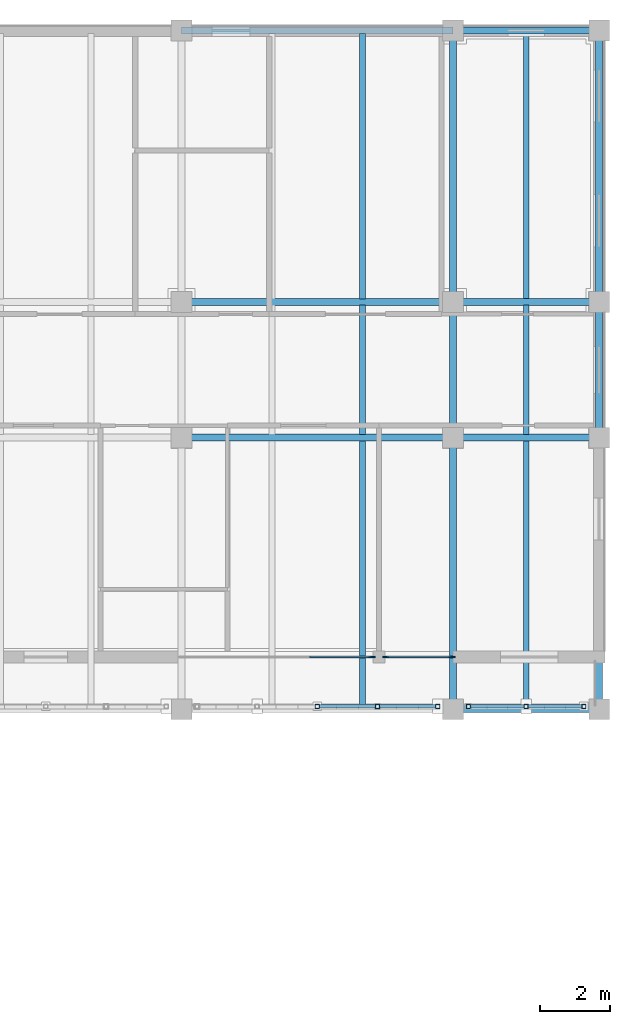
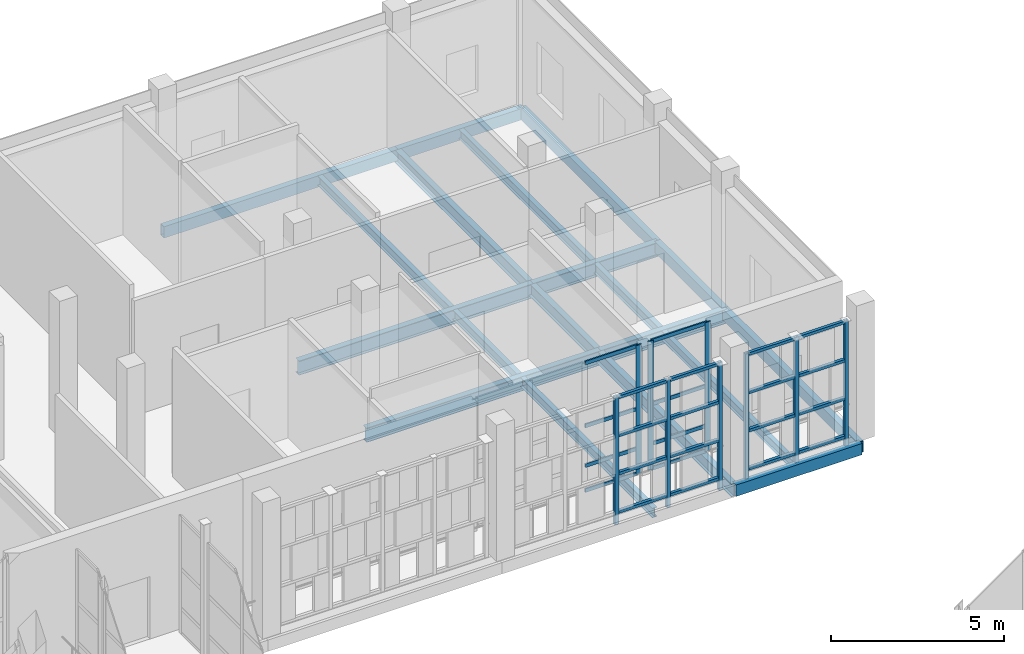
# One storey, part 75 of 138: 33 members, 19 beams, 2 elements without a shape of their own.
"""IFC4 building model written with IfcOpenShell, lengths in metres."""

from ifc_helpers import new_model, si_unit, direction, frame, origin, origin_2d, place, context, subcontext, project, spatial, rectangle, hollow_rectangle, i_section, extrude, material, layer, layer_set, material_profile, profile_set, type_object, element, aggregate, save


model = new_model("IFC4")

# Units and contexts
model_context = context("Model", 3, precision=1e-05, world=origin(), true_north=direction((0.0, 1.0)))
body_context = subcontext(model_context, "Body", "Model", "MODEL_VIEW")
ifc_project = project(units=[si_unit("LENGTHUNIT", "METRE"), si_unit("AREAUNIT", "SQUARE_METRE"), si_unit("VOLUMEUNIT", "CUBIC_METRE"), si_unit("PLANEANGLEUNIT", "RADIAN"), si_unit("MASSUNIT", "GRAM", prefix="KILO")], contexts=[model_context])

# Site, building, storey
site_placement = place(None, origin())
site = spatial("IfcSite", under=ifc_project, at=site_placement, CompositionType="ELEMENT")
building_placement = place(site_placement, origin())
building = spatial("IfcBuilding", under=site, at=building_placement, Name="Celorna Specialist Clinic", CompositionType="ELEMENT")
storey_placement = place(building_placement, frame((0.0, 0.0, 4.800048828125)))
storey = spatial("IfcBuildingStorey", under=building, at=storey_placement, Name="L01", CompositionType="ELEMENT", Elevation=4.800048828125)

# Beams
ifc_material_1 = material(Name="Steel S355", Category="steel")
ifc_material_profile_1 = material_profile(ifc_material_1, i_section(OverallWidth=0.199951171875, OverallDepth=0.5, WebThickness=0.01025390625, FlangeThickness=0.01611328125, at=origin_2d()), Name="IPE 500")
ifc_profile_set_1 = profile_set([ifc_material_profile_1], Name="Steel S355")
beam_type_1 = type_object("IfcBeamType", Name="BM-08", PredefinedType="BEAM", material=ifc_profile_set_1)
beam_1_placement = place(storey_placement, frame((156.0, 104.300048828125, -0.510009765625), z_axis=(1.0, 0.0, 0.0), x_axis=(0.0, 1.0, 0.0)))
element("IfcBeam", 1, at=beam_1_placement, inside=storey, type_object=beam_type_1, Name="Primary girder BM-08 #899", PredefinedType="BEAM", context=body_context, shape_type="SweptSolid", body=[
    extrude(i_section(OverallWidth=0.199951171875, OverallDepth=0.5, WebThickness=0.01025390625, FlangeThickness=0.01611328125, at=origin_2d()), origin(), (0.0, 0.0, 1.0), 7.800048828125),
])
beam_2_placement = place(storey_placement, frame((163.800048828125, 104.300048828125, -0.510009765625), z_axis=(1.0, 0.0, 0.0), x_axis=(0.0, 1.0, 0.0)))
element("IfcBeam", 2, at=beam_2_placement, inside=storey, type_object=beam_type_1, Name="Primary girder BM-08 #900", PredefinedType="BEAM", context=body_context, shape_type="SweptSolid", body=[
    extrude(i_section(OverallWidth=0.199951171875, OverallDepth=0.5, WebThickness=0.01025390625, FlangeThickness=0.01611328125, at=origin_2d()), origin(), (0.0, 0.0, 1.0), 4.199951171875),
])
beam_3_placement = place(storey_placement, frame((156.0, 108.199951171875, -0.510009765625), z_axis=(1.0, 0.0, 0.0), x_axis=(0.0, 1.0, 0.0)))
element("IfcBeam", 3, at=beam_3_placement, inside=storey, type_object=beam_type_1, Name="Primary girder BM-08 #915", PredefinedType="BEAM", context=body_context, shape_type="SweptSolid", body=[
    extrude(i_section(OverallWidth=0.199951171875, OverallDepth=0.5, WebThickness=0.01025390625, FlangeThickness=0.01611328125, at=origin_2d()), origin(), (0.0, 0.0, 1.0), 7.800048828125),
])
beam_4_placement = place(storey_placement, frame((163.800048828125, 108.199951171875, -0.510009765625), z_axis=(1.0, 0.0, 0.0), x_axis=(0.0, 1.0, 0.0)))
element("IfcBeam", 4, at=beam_4_placement, inside=storey, type_object=beam_type_1, Name="Primary girder BM-08 #916", PredefinedType="BEAM", context=body_context, shape_type="SweptSolid", body=[
    extrude(i_section(OverallWidth=0.199951171875, OverallDepth=0.5, WebThickness=0.01025390625, FlangeThickness=0.01611328125, at=origin_2d()), origin(), (0.0, 0.0, 1.0), 4.199951171875),
])
ifc_material_profile_2 = material_profile(ifc_material_1, i_section(OverallWidth=0.18994140625, OverallDepth=0.449951171875, WebThickness=0.009521484375, FlangeThickness=0.0146484375, at=origin_2d()), Name="IPE 450")
ifc_profile_set_2 = profile_set([ifc_material_profile_2], Name="Steel S355")
beam_type_2 = type_object("IfcBeamType", Name="BM-09", PredefinedType="BEAM", material=ifc_profile_set_2)
beam_5_placement = place(storey_placement, frame((163.800048828125, 96.5, -0.485107421875), z_axis=(0.0, 1.0, 0.0), x_axis=(-1.0, 0.0, 0.0)))
element("IfcBeam", 5, at=beam_5_placement, inside=storey, type_object=beam_type_2, Name="Transverse girder BM-09 #977", PredefinedType="BEAM", context=body_context, shape_type="SweptSolid", body=[
    extrude(i_section(OverallWidth=0.18994140625, OverallDepth=0.449951171875, WebThickness=0.009521484375, FlangeThickness=0.0146484375, at=origin_2d()), origin(), (0.0, 0.0, 1.0), 7.800048828125),
])
beam_6_placement = place(storey_placement, frame((163.800048828125, 104.300048828125, -0.485107421875), z_axis=(0.0, 1.0, 0.0), x_axis=(-1.0, 0.0, 0.0)))
element("IfcBeam", 6, at=beam_6_placement, inside=storey, type_object=beam_type_2, Name="Transverse girder BM-09 #978", PredefinedType="BEAM", context=body_context, shape_type="SweptSolid", body=[
    extrude(i_section(OverallWidth=0.18994140625, OverallDepth=0.449951171875, WebThickness=0.009521484375, FlangeThickness=0.0146484375, at=origin_2d()), origin(), (0.0, 0.0, 1.0), 3.89990234375),
])
beam_7_placement = place(storey_placement, frame((163.800048828125, 108.199951171875, -0.485107421875), z_axis=(0.0, 1.0, 0.0), x_axis=(-1.0, 0.0, 0.0)))
element("IfcBeam", 7, at=beam_7_placement, inside=storey, type_object=beam_type_2, Name="Transverse girder BM-09 #979", PredefinedType="BEAM", context=body_context, shape_type="SweptSolid", body=[
    extrude(i_section(OverallWidth=0.18994140625, OverallDepth=0.449951171875, WebThickness=0.009521484375, FlangeThickness=0.0146484375, at=origin_2d()), origin(), (0.0, 0.0, 1.0), 7.800048828125),
])
ifc_material_profile_3 = material_profile(ifc_material_1, i_section(OverallWidth=0.159912109375, OverallDepth=0.330078125, WebThickness=0.007568359375, FlangeThickness=0.011474609375, at=origin_2d()), Name="IPE 330")
ifc_profile_set_3 = profile_set([ifc_material_profile_3], Name="Steel S355")
beam_type_3 = type_object("IfcBeamType", Name="BM-12", PredefinedType="JOIST", material=ifc_profile_set_3)
beam_8_placement = place(storey_placement, frame((161.199951171875, 96.587890625, -0.425048828125), z_axis=(0.0, 1.0, 0.0), x_axis=(-1.0, 0.0, 0.0)))
element("IfcBeam", 8, at=beam_8_placement, inside=storey, type_object=beam_type_3, Name="Secondary floor joist BM-12 #1058", PredefinedType="JOIST", context=body_context, shape_type="SweptSolid", body=[
    extrude(i_section(OverallWidth=0.159912109375, OverallDepth=0.330078125, WebThickness=0.007568359375, FlangeThickness=0.011474609375, at=origin_2d()), origin(), (0.0, 0.0, 1.0), 7.6240234375),
])
beam_9_placement = place(storey_placement, frame((161.199951171875, 104.387939453125, -0.425048828125), z_axis=(0.0, 1.0, 0.0), x_axis=(-1.0, 0.0, 0.0)))
element("IfcBeam", 9, at=beam_9_placement, inside=storey, type_object=beam_type_3, Name="Secondary floor joist BM-12 #1060", PredefinedType="JOIST", context=body_context, shape_type="SweptSolid", body=[
    extrude(i_section(OverallWidth=0.159912109375, OverallDepth=0.330078125, WebThickness=0.007568359375, FlangeThickness=0.011474609375, at=origin_2d()), origin(), (0.0, 0.0, 1.0), 3.72412109375),
])
for number, where, z_axis, x_axis, name in (
    (10, (161.199951171875, 108.2880859375, -0.425048828125), (0.0, 1.0, 0.0), (-1.0, 0.0, 0.0), "Secondary floor joist BM-12 #1062"),
    (11, (165.89990234375, 96.587890625, -0.425048828125), (0.0, 1.0, 0.0), (-1.0, 0.0, 0.0), "Secondary floor joist BM-12 #1063"),
):
    element("IfcBeam", number, at=place(storey_placement, frame(where, z_axis=z_axis, x_axis=x_axis)), inside=storey, type_object=beam_type_3, Name=name, PredefinedType="JOIST", context=body_context, shape_type="SweptSolid", body=[
        extrude(i_section(OverallWidth=0.159912109375, OverallDepth=0.330078125, WebThickness=0.007568359375, FlangeThickness=0.011474609375, at=origin_2d()), origin(), (0.0, 0.0, 1.0), 7.6240234375),
    ])
beam_10_placement = place(storey_placement, frame((165.89990234375, 104.387939453125, -0.425048828125), z_axis=(0.0, 1.0, 0.0), x_axis=(-1.0, 0.0, 0.0)))
element("IfcBeam", 12, at=beam_10_placement, inside=storey, type_object=beam_type_3, Name="Secondary floor joist BM-12 #1064", PredefinedType="JOIST", context=body_context, shape_type="SweptSolid", body=[
    extrude(i_section(OverallWidth=0.159912109375, OverallDepth=0.330078125, WebThickness=0.007568359375, FlangeThickness=0.011474609375, at=origin_2d()), origin(), (0.0, 0.0, 1.0), 3.72412109375),
])
beam_11_placement = place(storey_placement, frame((165.89990234375, 108.2880859375, -0.425048828125), z_axis=(0.0, 1.0, 0.0), x_axis=(-1.0, 0.0, 0.0)))
element("IfcBeam", 13, at=beam_11_placement, inside=storey, type_object=beam_type_3, Name="Secondary floor joist BM-12 #1065", PredefinedType="JOIST", context=body_context, shape_type="SweptSolid", body=[
    extrude(i_section(OverallWidth=0.159912109375, OverallDepth=0.330078125, WebThickness=0.007568359375, FlangeThickness=0.011474609375, at=origin_2d()), origin(), (0.0, 0.0, 1.0), 7.6240234375),
])
ifc_material_profile_4 = material_profile(ifc_material_1, hollow_rectangle(XDim=0.199951171875, YDim=0.39990234375, WallThickness=0.011962890625, at=origin_2d()), Name="RHS 200x400x12")
ifc_profile_set_4 = profile_set([ifc_material_profile_4], Name="Steel S355")
beam_type_4 = type_object("IfcBeamType", Name="BM-15", PredefinedType="SPANDREL", material=ifc_profile_set_4)
beam_12_placement = place(storey_placement, frame((163.800048828125, 96.5, -0.4599609375), z_axis=(1.0, 0.0, 0.0), x_axis=(0.0, 1.0, 0.0)))
element("IfcBeam", 14, at=beam_12_placement, inside=storey, type_object=beam_type_4, Name="Spandrel beam BM-15 #884", PredefinedType="SPANDREL", context=body_context, shape_type="SweptSolid", body=[
    extrude(hollow_rectangle(XDim=0.199951171875, YDim=0.39990234375, WallThickness=0.011962890625, at=origin_2d()), origin(), (0.0, 0.0, 1.0), 4.199951171875),
])
beam_13_placement = place(storey_placement, frame((156.0, 116.0, -0.4599609375), z_axis=(1.0, 0.0, 0.0), x_axis=(0.0, 1.0, 0.0)))
element("IfcBeam", 15, at=beam_13_placement, inside=storey, type_object=beam_type_4, Name="Spandrel beam BM-15 #931", PredefinedType="SPANDREL", context=body_context, shape_type="SweptSolid", body=[
    extrude(hollow_rectangle(XDim=0.199951171875, YDim=0.39990234375, WallThickness=0.011962890625, at=origin_2d()), origin(), (0.0, 0.0, 1.0), 7.800048828125),
])
beam_14_placement = place(storey_placement, frame((163.800048828125, 116.0, -0.4599609375), z_axis=(1.0, 0.0, 0.0), x_axis=(0.0, 1.0, 0.0)))
element("IfcBeam", 16, at=beam_14_placement, inside=storey, type_object=beam_type_4, Name="Spandrel beam BM-15 #932", PredefinedType="SPANDREL", context=body_context, shape_type="SweptSolid", body=[
    extrude(hollow_rectangle(XDim=0.199951171875, YDim=0.39990234375, WallThickness=0.011962890625, at=origin_2d()), origin(), (0.0, 0.0, 1.0), 4.199951171875),
])
beam_15_placement = place(storey_placement, frame((168.0, 96.5, -0.4599609375), z_axis=(0.0, 1.0, 0.0), x_axis=(-1.0, 0.0, 0.0)))
element("IfcBeam", 17, at=beam_15_placement, inside=storey, type_object=beam_type_4, Name="Spandrel beam BM-15 #980", PredefinedType="SPANDREL", context=body_context, shape_type="SweptSolid", body=[
    extrude(hollow_rectangle(XDim=0.199951171875, YDim=0.39990234375, WallThickness=0.011962890625, at=origin_2d()), origin(), (0.0, 0.0, 1.0), 7.800048828125),
])
beam_16_placement = place(storey_placement, frame((168.0, 104.300048828125, -0.4599609375), z_axis=(0.0, 1.0, 0.0), x_axis=(-1.0, 0.0, 0.0)))
element("IfcBeam", 18, at=beam_16_placement, inside=storey, type_object=beam_type_4, Name="Spandrel beam BM-15 #981", PredefinedType="SPANDREL", context=body_context, shape_type="SweptSolid", body=[
    extrude(hollow_rectangle(XDim=0.199951171875, YDim=0.39990234375, WallThickness=0.011962890625, at=origin_2d()), origin(), (0.0, 0.0, 1.0), 3.89990234375),
])
beam_17_placement = place(storey_placement, frame((168.0, 108.199951171875, -0.4599609375), z_axis=(0.0, 1.0, 0.0), x_axis=(-1.0, 0.0, 0.0)))
element("IfcBeam", 19, at=beam_17_placement, inside=storey, type_object=beam_type_4, Name="Spandrel beam BM-15 #982", PredefinedType="SPANDREL", context=body_context, shape_type="SweptSolid", body=[
    extrude(hollow_rectangle(XDim=0.199951171875, YDim=0.39990234375, WallThickness=0.011962890625, at=origin_2d()), origin(), (0.0, 0.0, 1.0), 7.800048828125),
])

# Members
ifc_material_profile_5 = material_profile(ifc_material_1, hollow_rectangle(XDim=0.1201171875, YDim=0.1201171875, WallThickness=0.008056640625, at=origin_2d()), Name="SHS 120x120x8")
ifc_profile_set_5 = profile_set([ifc_material_profile_5], Name="Steel S355")
member_type_1 = type_object("IfcMemberType", Name="MB-11", PredefinedType="STUD", material=ifc_profile_set_5)
for number, where, z_axis, x_axis, name in (
    (20, (159.89990234375, 96.580078125, -0.360107421875), (0.0, 0.0, 1.0), (1.0, 0.0, 0.0), "Perforated screen steel post #965"),
    (21, (161.6298828125, 96.580078125, -0.360107421875), (0.0, 0.0, 1.0), (1.0, 0.0, 0.0), "Perforated screen steel post #966"),
    (22, (163.360107421875, 96.580078125, -0.360107421875), (0.0, 0.0, 1.0), (1.0, 0.0, 0.0), "Perforated screen steel post #967"),
    (23, (164.239990234375, 96.580078125, -0.360107421875), (0.0, 0.0, 1.0), (1.0, 0.0, 0.0), "Perforated screen steel post #984"),
    (24, (165.89990234375, 96.580078125, -0.360107421875), (0.0, 0.0, 1.0), (1.0, 0.0, 0.0), "Perforated screen steel post #985"),
    (25, (167.56005859375, 96.580078125, -0.360107421875), (0.0, 0.0, 1.0), (1.0, 0.0, 0.0), "Perforated screen steel post #986"),
):
    element("IfcMember", number, at=place(storey_placement, frame(where, z_axis=z_axis, x_axis=x_axis)), inside=storey, type_object=member_type_1, Name=name, PredefinedType="STUD", context=body_context, shape_type="SweptSolid", body=[
        extrude(hollow_rectangle(XDim=0.1201171875, YDim=0.1201171875, WallThickness=0.008056640625, at=origin_2d()), origin(), (0.0, 0.0, 1.0), 4.5),
    ])
ifc_material_profile_6 = material_profile(ifc_material_1, hollow_rectangle(XDim=0.10009765625, YDim=0.10009765625, WallThickness=0.006103515625, at=origin_2d()), Name="SHS 100x100x6")
ifc_profile_set_6 = profile_set([ifc_material_profile_6], Name="Steel S355")
member_type_2 = type_object("IfcMemberType", Name="MB-12", PredefinedType="STUD", material=ifc_profile_set_6)
for number, where, z_axis, x_axis, name in (
    (26, (159.9599609375, 96.580078125, 0.050048828125), (1.0, 0.0, 0.0), (0.0, 1.0, 0.0), "Perforated screen rail #976"),
    (27, (159.9599609375, 96.580078125, 1.396728515625), (1.0, 0.0, 0.0), (0.0, 1.0, 0.0), "Perforated screen rail #977"),
    (28, (159.9599609375, 96.580078125, 2.7431640625), (1.0, 0.0, 0.0), (0.0, 1.0, 0.0), "Perforated screen rail #978"),
    (29, (159.9599609375, 96.580078125, 4.08984375), (1.0, 0.0, 0.0), (0.0, 1.0, 0.0), "Perforated screen rail #979"),
    (30, (161.68994140625, 96.580078125, 0.050048828125), (1.0, 0.0, 0.0), (0.0, 1.0, 0.0), "Perforated screen rail #980"),
    (31, (161.68994140625, 96.580078125, 1.396728515625), (1.0, 0.0, 0.0), (0.0, 1.0, 0.0), "Perforated screen rail #981"),
    (32, (161.68994140625, 96.580078125, 2.7431640625), (1.0, 0.0, 0.0), (0.0, 1.0, 0.0), "Perforated screen rail #982"),
    (33, (161.68994140625, 96.580078125, 4.08984375), (1.0, 0.0, 0.0), (0.0, 1.0, 0.0), "Perforated screen rail #983"),
):
    element("IfcMember", number, at=place(storey_placement, frame(where, z_axis=z_axis, x_axis=x_axis)), inside=storey, type_object=member_type_2, Name=name, PredefinedType="STUD", context=body_context, shape_type="SweptSolid", body=[
        extrude(hollow_rectangle(XDim=0.10009765625, YDim=0.10009765625, WallThickness=0.006103515625, at=origin_2d()), origin(), (0.0, 0.0, 1.0), 1.610107421875),
    ])
for number, where, z_axis, x_axis, name in (
    (34, (164.300048828125, 96.580078125, 0.050048828125), (1.0, 0.0, 0.0), (0.0, 1.0, 0.0), "Perforated screen rail #987"),
    (35, (164.300048828125, 96.580078125, 1.396728515625), (1.0, 0.0, 0.0), (0.0, 1.0, 0.0), "Perforated screen rail #988"),
    (36, (164.300048828125, 96.580078125, 2.7431640625), (1.0, 0.0, 0.0), (0.0, 1.0, 0.0), "Perforated screen rail #989"),
    (37, (164.300048828125, 96.580078125, 4.08984375), (1.0, 0.0, 0.0), (0.0, 1.0, 0.0), "Perforated screen rail #990"),
    (38, (165.9599609375, 96.580078125, 0.050048828125), (1.0, 0.0, 0.0), (0.0, 1.0, 0.0), "Perforated screen rail #991"),
    (39, (165.9599609375, 96.580078125, 1.396728515625), (1.0, 0.0, 0.0), (0.0, 1.0, 0.0), "Perforated screen rail #992"),
    (40, (165.9599609375, 96.580078125, 2.7431640625), (1.0, 0.0, 0.0), (0.0, 1.0, 0.0), "Perforated screen rail #993"),
    (41, (165.9599609375, 96.580078125, 4.08984375), (1.0, 0.0, 0.0), (0.0, 1.0, 0.0), "Perforated screen rail #994"),
):
    element("IfcMember", number, at=place(storey_placement, frame(where, z_axis=z_axis, x_axis=x_axis)), inside=storey, type_object=member_type_2, Name=name, PredefinedType="STUD", context=body_context, shape_type="SweptSolid", body=[
        extrude(hollow_rectangle(XDim=0.10009765625, YDim=0.10009765625, WallThickness=0.006103515625, at=origin_2d()), origin(), (0.0, 0.0, 1.0), 1.5400390625),
    ])

# Curtain wall, members
ifc_material_2 = material(Name="Thermally broken aluminium and solar-control glass curtain wall", Category="aluminium")
ifc_layer_1 = layer(ifc_material_2, 0.159912109375, Name="Thermally broken aluminium and solar-control glass curtain wall")
ifc_layer_set_1 = layer_set([ifc_layer_1], Name="Thermally broken aluminium and solar-control glass curtain wall")
curtain_wall_type_1 = type_object("IfcCurtainWallType", Name="CW-65", PredefinedType="NOTDEFINED", material=ifc_layer_set_1)
curtain_wall_1_placement = place(storey_placement, origin())
curtain_wall_1 = element("IfcCurtainWall", 42, at=curtain_wall_1_placement, inside=storey, type_object=curtain_wall_type_1, Name="Curtain wall CW-65 #119", PredefinedType="NOTDEFINED")
ifc_material_3 = material(Name="Anodized aluminium mullion", Category="aluminium")
ifc_material_profile_7 = material_profile(ifc_material_3, rectangle(XDim=0.050048828125, YDim=0.179931640625, at=origin_2d()), Name="ALU MULLION 50x180")
ifc_profile_set_7 = profile_set([ifc_material_profile_7], Name="Anodized aluminium mullion")
member_type_3 = type_object("IfcMemberType", Name="ML-02", PredefinedType="MULLION", material=ifc_profile_set_7)
member_1_placement = place(storey_placement, frame((163.77099609375, 98.0, 0.0), z_axis=(0.0, 0.0, 1.0), x_axis=(0.0, -1.0, 0.0)))
member_1 = element("IfcMember", 43, at=member_1_placement, type_object=member_type_3, Name="CW-65 mullion 1", PredefinedType="MULLION", context=body_context, shape_type="SweptSolid", body=[
    extrude(rectangle(XDim=0.050048828125, YDim=0.179931640625, at=origin_2d()), origin(), (0.0, 0.0, 1.0), 4.5400390625),
])
member_2_placement = place(storey_placement, frame((161.868896484375, 98.0, 0.0), z_axis=(0.0, 0.0, 1.0), x_axis=(0.0, -1.0, 0.0)))
member_2 = element("IfcMember", 44, at=member_2_placement, type_object=member_type_3, Name="CW-65 mullion 2", PredefinedType="MULLION", context=body_context, shape_type="SweptSolid", body=[
    extrude(rectangle(XDim=0.050048828125, YDim=0.179931640625, at=origin_2d()), origin(), (0.0, 0.0, 1.0), 4.5400390625),
])

# Curtain wall, member
ifc_layer_2 = layer(ifc_material_2, 0.159912109375, Name="Thermally broken aluminium and solar-control glass curtain wall")
ifc_layer_set_2 = layer_set([ifc_layer_2], Name="Thermally broken aluminium and solar-control glass curtain wall")
curtain_wall_type_2 = type_object("IfcCurtainWallType", Name="CW-66", PredefinedType="NOTDEFINED", material=ifc_layer_set_2)
curtain_wall_2_placement = place(storey_placement, origin())
curtain_wall_2 = element("IfcCurtainWall", 45, at=curtain_wall_2_placement, inside=storey, type_object=curtain_wall_type_2, Name="Curtain wall CW-66 #120", PredefinedType="NOTDEFINED")
member_3_placement = place(storey_placement, frame((161.470947265625, 98.0, 0.0), z_axis=(0.0, 0.0, 1.0), x_axis=(0.0, -1.0, 0.0)))
member_3 = element("IfcMember", 46, at=member_3_placement, type_object=member_type_3, Name="CW-66 mullion 1", PredefinedType="MULLION", context=body_context, shape_type="SweptSolid", body=[
    extrude(rectangle(XDim=0.050048828125, YDim=0.179931640625, at=origin_2d()), origin(), (0.0, 0.0, 1.0), 4.5400390625),
])

# Member
ifc_material_4 = material(Name="Anodized aluminium transom", Category="aluminium")
ifc_material_profile_8 = material_profile(ifc_material_4, rectangle(XDim=0.050048828125, YDim=0.1298828125, at=origin_2d()), Name="ALU TRANSOM 50x130")
ifc_profile_set_8 = profile_set([ifc_material_profile_8], Name="Anodized aluminium transom")
member_type_4 = type_object("IfcMemberType", Name="TR-01", PredefinedType="USERDEFINED", material=ifc_profile_set_8)
member_4_placement = place(storey_placement, frame((163.74609375, 98.0, 0.02490234375), z_axis=(-1.0, 0.0, 0.0), x_axis=(0.0, -1.0, 0.0)))
member_4 = element("IfcMember", 47, at=member_4_placement, type_object=member_type_4, Name="CW-65 transom 1.1", ObjectType="TRANSOM", PredefinedType="USERDEFINED", context=body_context, shape_type="SweptSolid", body=[
    extrude(rectangle(XDim=0.050048828125, YDim=0.1298828125, at=origin_2d()), origin(), (0.0, 0.0, 1.0), 1.85205078125),
])

member_5_placement = place(storey_placement, frame((163.74609375, 98.0, 0.89990234375), z_axis=(-1.0, 0.0, 0.0), x_axis=(0.0, -1.0, 0.0)))
member_5 = element("IfcMember", 48, at=member_5_placement, type_object=member_type_4, Name="CW-65 transom 1.2", ObjectType="TRANSOM", PredefinedType="USERDEFINED", context=body_context, shape_type="SweptSolid", body=[
    extrude(rectangle(XDim=0.050048828125, YDim=0.1298828125, at=origin_2d()), origin(), (0.0, 0.0, 1.0), 1.85205078125),
])

member_6_placement = place(storey_placement, frame((163.74609375, 98.0, 2.300048828125), z_axis=(-1.0, 0.0, 0.0), x_axis=(0.0, -1.0, 0.0)))
member_6 = element("IfcMember", 49, at=member_6_placement, type_object=member_type_4, Name="CW-65 transom 1.3", ObjectType="TRANSOM", PredefinedType="USERDEFINED", context=body_context, shape_type="SweptSolid", body=[
    extrude(rectangle(XDim=0.050048828125, YDim=0.1298828125, at=origin_2d()), origin(), (0.0, 0.0, 1.0), 1.85205078125),
])

member_7_placement = place(storey_placement, frame((163.74609375, 98.0, 4.514892578125), z_axis=(-1.0, 0.0, 0.0), x_axis=(0.0, -1.0, 0.0)))
member_7 = element("IfcMember", 50, at=member_7_placement, type_object=member_type_4, Name="CW-65 transom 1.4", ObjectType="TRANSOM", PredefinedType="USERDEFINED", context=body_context, shape_type="SweptSolid", body=[
    extrude(rectangle(XDim=0.050048828125, YDim=0.1298828125, at=origin_2d()), origin(), (0.0, 0.0, 1.0), 1.85205078125),
])

aggregate(curtain_wall_1, [member_1, member_2, member_4, member_5, member_6, member_7])

member_8_placement = place(storey_placement, frame((161.446044921875, 98.0, 0.02490234375), z_axis=(-1.0, 0.0, 0.0), x_axis=(0.0, -1.0, 0.0)))
member_8 = element("IfcMember", 51, at=member_8_placement, type_object=member_type_4, Name="CW-66 transom 1.1", ObjectType="TRANSOM", PredefinedType="USERDEFINED", context=body_context, shape_type="SweptSolid", body=[
    extrude(rectangle(XDim=0.050048828125, YDim=0.1298828125, at=origin_2d()), origin(), (0.0, 0.0, 1.0), 1.755615234375),
])

member_9_placement = place(storey_placement, frame((161.446044921875, 98.0, 0.89990234375), z_axis=(-1.0, 0.0, 0.0), x_axis=(0.0, -1.0, 0.0)))
member_9 = element("IfcMember", 52, at=member_9_placement, type_object=member_type_4, Name="CW-66 transom 1.2", ObjectType="TRANSOM", PredefinedType="USERDEFINED", context=body_context, shape_type="SweptSolid", body=[
    extrude(rectangle(XDim=0.050048828125, YDim=0.1298828125, at=origin_2d()), origin(), (0.0, 0.0, 1.0), 1.755615234375),
])

member_10_placement = place(storey_placement, frame((161.446044921875, 98.0, 2.300048828125), z_axis=(-1.0, 0.0, 0.0), x_axis=(0.0, -1.0, 0.0)))
member_10 = element("IfcMember", 53, at=member_10_placement, type_object=member_type_4, Name="CW-66 transom 1.3", ObjectType="TRANSOM", PredefinedType="USERDEFINED", context=body_context, shape_type="SweptSolid", body=[
    extrude(rectangle(XDim=0.050048828125, YDim=0.1298828125, at=origin_2d()), origin(), (0.0, 0.0, 1.0), 1.755615234375),
])

member_11_placement = place(storey_placement, frame((161.446044921875, 98.0, 4.514892578125), z_axis=(-1.0, 0.0, 0.0), x_axis=(0.0, -1.0, 0.0)))
member_11 = element("IfcMember", 54, at=member_11_placement, type_object=member_type_4, Name="CW-66 transom 1.4", ObjectType="TRANSOM", PredefinedType="USERDEFINED", context=body_context, shape_type="SweptSolid", body=[
    extrude(rectangle(XDim=0.050048828125, YDim=0.1298828125, at=origin_2d()), origin(), (0.0, 0.0, 1.0), 1.755615234375),
])

aggregate(curtain_wall_2, [member_3, member_8, member_9, member_10, member_11])

save(model, "model.ifc")
